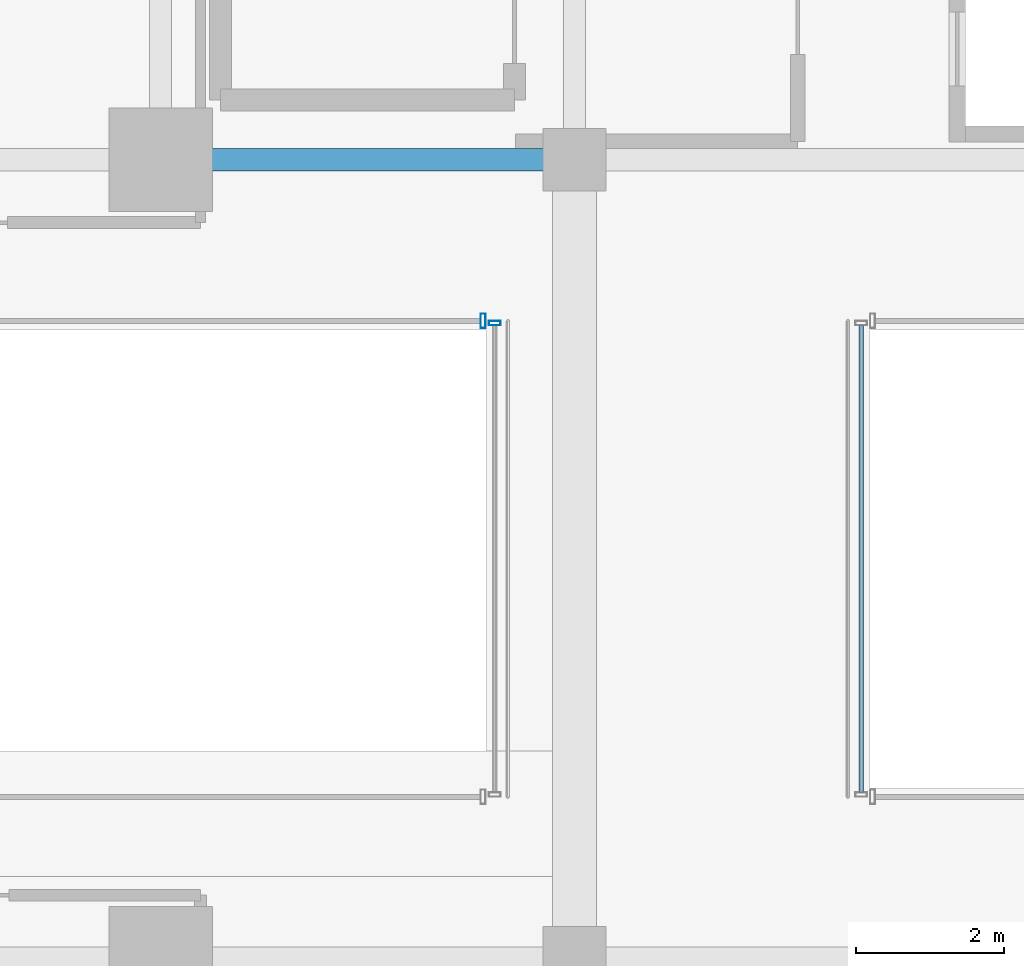
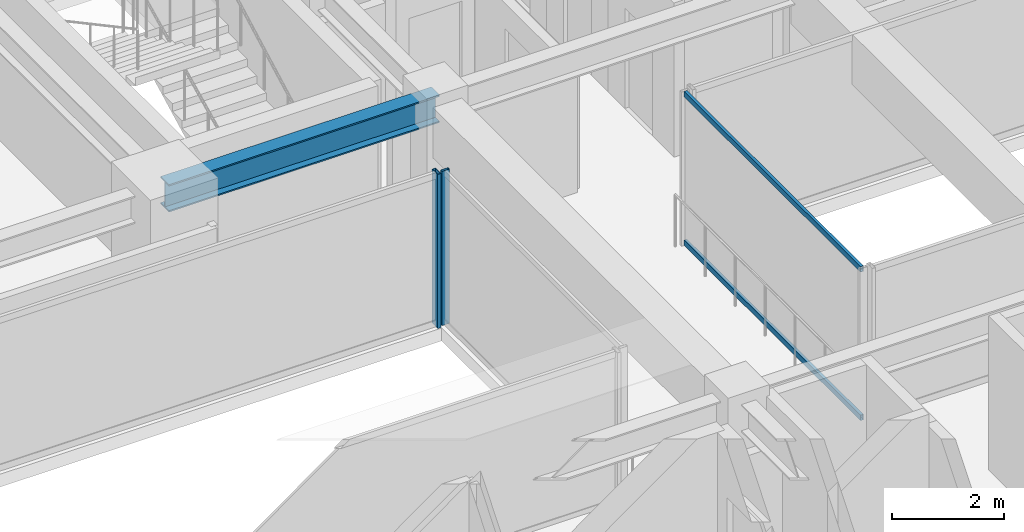
# One storey, part 17 of 43: 4 members, 1 beam, 3 elements without a shape of their own.
"""IFC4 building model written with IfcOpenShell, lengths in metres."""

import ifcopenshell
import ifcopenshell.guid

model = None  # the IFC model being written
_history = None  # IfcOwnerHistory: only IFC2X3 demands one
_inside = {}  # id of a spatial element -> (the spatial element, [elements in it])
_under = {}  # id of a project, library or spatial element -> (it, [spatial elements below it])
_declared = {}  # id of a project -> (the project, [libraries it declares])
_typed = {}  # id of a type object -> (the type object, [elements of that type])
_made_of = {}  # id of a material, layer set ... -> (it, [elements and type objects made of it])


def new_model(schema):
    """Start an empty IFC model of exactly this schema.

    Asked for "IFC4X3", IfcOpenShell would pick the latest addendum, in which some entities
    have other attributes; the version numbers below select the first issue.
    IFC2X3 requires an IfcOwnerHistory on every rooted entity: one is made here for all.
    """
    global model, _history
    if schema == "IFC4X3":
        model = ifcopenshell.file(schema_version=(4, 3, 0, 0))
    else:
        model = ifcopenshell.file(schema=schema)
    _inside.clear()
    _under.clear()
    _declared.clear()
    _typed.clear()
    _made_of.clear()
    _history = None
    if model.schema == "IFC2X3":
        org = make("IfcOrganization", Name="unknown")
        user = make(
            "IfcPersonAndOrganization",
            ThePerson=make("IfcPerson", FamilyName="unknown"),
            TheOrganization=org,
        )
        app = make(
            "IfcApplication",
            ApplicationDeveloper=org,
            Version="unknown",
            ApplicationFullName="unknown",
            ApplicationIdentifier="unknown",
        )
        _history = make(
            "IfcOwnerHistory",
            OwningUser=user,
            OwningApplication=app,
            ChangeAction="ADDED",
            CreationDate=0,
        )
    return model


def make(cls, **values):
    """One entity of the class cls with the attributes given. An attribute that is None is left unset."""
    return model.create_entity(
        cls, **{name: value for name, value in values.items() if value is not None}
    )


def rooted(cls, **values):
    """An entity with a GlobalId (a new one), such as an element, a storey or a relation."""
    return make(cls, GlobalId=ifcopenshell.guid.new(), OwnerHistory=_history, **values)


def si_unit(unit_type, name, prefix=None):
    """IfcSIUnit, for example si_unit("LENGTHUNIT", "METRE", prefix="MILLI")."""
    return make("IfcSIUnit", UnitType=unit_type, Prefix=prefix, Name=name)


def assignment(units):
    """IfcUnitAssignment: the units of a project."""
    return None if units is None else make("IfcUnitAssignment", Units=units)


def point(xyz):
    """IfcCartesianPoint."""
    return None if xyz is None else make("IfcCartesianPoint", Coordinates=xyz)


def direction(xyz):
    """IfcDirection."""
    return None if xyz is None else make("IfcDirection", DirectionRatios=xyz)


def frame(location, z_axis=None, x_axis=None):
    """IfcAxis2Placement3D, a coordinate frame: its origin and axes. An axis left out is left unset."""
    return make(
        "IfcAxis2Placement3D",
        Location=point(location),
        Axis=direction(z_axis),
        RefDirection=direction(x_axis),
    )


def frame_2d(location, x_axis=None):
    """IfcAxis2Placement2D, a coordinate frame in the plane: its origin and x axis."""
    return make(
        "IfcAxis2Placement2D", Location=point(location), RefDirection=direction(x_axis)
    )


def origin():
    """The frame at (0, 0, 0) with its axes left unset."""
    return frame((0.0, 0.0, 0.0))


def origin_2d():
    """The frame at (0, 0) in the plane with its x axis left unset."""
    return frame_2d((0.0, 0.0))


def place(relative_to, where):
    """IfcLocalPlacement: puts the frame where relative to a parent placement (None: the world)."""
    return make(
        "IfcLocalPlacement", PlacementRelTo=relative_to, RelativePlacement=where
    )


def context(
    kind, dimensions, precision=None, world=None, true_north=None, identifier=None
):
    """IfcGeometricRepresentationContext, for example the 3D "Model" context."""
    return make(
        "IfcGeometricRepresentationContext",
        ContextIdentifier=identifier,
        ContextType=kind,
        CoordinateSpaceDimension=dimensions,
        Precision=precision,
        WorldCoordinateSystem=world,
        TrueNorth=true_north,
    )


def subcontext(parent, identifier, kind, view, scale=None):
    """IfcGeometricRepresentationSubContext, for example "Body" below "Model"."""
    return make(
        "IfcGeometricRepresentationSubContext",
        ContextIdentifier=identifier,
        ContextType=kind,
        ParentContext=parent,
        TargetScale=scale,
        TargetView=view,
    )


def project(units=None, contexts=None):
    """IfcProject with its units and contexts."""
    return rooted(
        "IfcProject",
        Name="project",
        RepresentationContexts=contexts,
        UnitsInContext=assignment(units),
    )


def spatial(cls, under=None, at=None, **own):
    """A site, building, storey or space (cls), placed at a placement, below another one or the project."""
    s = rooted(cls, ObjectPlacement=at, **own)
    if under is not None:
        _under.setdefault(under.id(), (under, []))[1].append(s)
    return s


def profile(cls, at=None, kind="AREA", **sizes):
    """A parametric profile (cls). Its sizes go by their IFC names, for example OverallWidth=200.0."""
    return make(cls, ProfileType=kind, Position=at, **sizes)


def hollow_rectangle(**sizes):
    """IfcRectangleHollowProfileDef."""
    return profile("IfcRectangleHollowProfileDef", **sizes)


def i_section(**sizes):
    """IfcIShapeProfileDef."""
    return profile("IfcIShapeProfileDef", **sizes)


def extrude(swept, where, along, depth):
    """IfcExtrudedAreaSolid: the profile swept, set in the frame where, extruded along a direction by depth."""
    return make(
        "IfcExtrudedAreaSolid",
        SweptArea=swept,
        Position=where,
        ExtrudedDirection=direction(along),
        Depth=depth,
    )


def shape(context_of_items, identifier, shape_type, items):
    """IfcShapeRepresentation: the items that make up one representation, for example the "Body"."""
    return make(
        "IfcShapeRepresentation",
        ContextOfItems=context_of_items,
        RepresentationIdentifier=identifier,
        RepresentationType=shape_type,
        Items=items,
    )


def source(mapping_origin, context_of_items, identifier, shape_type, items):
    """IfcRepresentationMap: a shape defined once, which mapped items show again and again."""
    return make(
        "IfcRepresentationMap",
        MappingOrigin=mapping_origin,
        MappedRepresentation=shape(context_of_items, identifier, shape_type, items),
    )


def transform(
    local_origin,
    x_axis=None,
    y_axis=None,
    z_axis=None,
    scale=None,
    scale2=None,
    scale3=None,
    uniform=True,
):
    """IfcCartesianTransformationOperator3D, or its non-uniform kind. x_axis, y_axis, z_axis: its Axis1, 2, 3."""
    if uniform:
        return make(
            "IfcCartesianTransformationOperator3D",
            Axis1=direction(x_axis),
            Axis2=direction(y_axis),
            LocalOrigin=point(local_origin),
            Scale=scale,
            Axis3=direction(z_axis),
        )
    return make(
        "IfcCartesianTransformationOperator3DnonUniform",
        Axis1=direction(x_axis),
        Axis2=direction(y_axis),
        LocalOrigin=point(local_origin),
        Scale=scale,
        Axis3=direction(z_axis),
        Scale2=scale2,
        Scale3=scale3,
    )


def mapped(mapping_source, mapping_target):
    """IfcMappedItem: shows the shape of a source again, moved by a transform."""
    return make(
        "IfcMappedItem", MappingSource=mapping_source, MappingTarget=mapping_target
    )


def material(Name=None, Category=None):
    """IfcMaterial."""
    return make("IfcMaterial", Name=Name, Category=Category)


def material_profile(
    of_material, cross_section, Name=None, Category=None, Priority=None
):
    """IfcMaterialProfile: a cross section and its material."""
    return make(
        "IfcMaterialProfile",
        Name=Name,
        Material=of_material,
        Profile=cross_section,
        Priority=Priority,
        Category=Category,
    )


def profile_set(profiles, Name=None, composite=None):
    """IfcMaterialProfileSet."""
    return make(
        "IfcMaterialProfileSet",
        Name=Name,
        MaterialProfiles=profiles,
        CompositeProfile=composite,
    )


def made_of(thing, what):
    """Note that an element or type object is made of a material, layer set ...; save() writes the relation."""
    if what is not None:
        _made_of.setdefault(what.id(), (what, []))[1].append(thing)
    return thing


def type_object(cls, material=None, **own):
    """A type object (cls), such as IfcWallType, which elements share."""
    return made_of(rooted(cls, **own), material)


def element(
    cls,
    number,
    at=None,
    inside=None,
    cuts=None,
    type_object=None,
    material=None,
    context=None,
    identifier="Body",
    shape_type=None,
    held_by="IfcProductDefinitionShape",
    body=None,
    shapes=None,
    **own,
):
    """One element of the class cls, such as IfcWall. Its Tag is "e" and its number.

    at: its placement. inside: the storey or other place that contains it. cuts: it is an
    opening in that element (IfcRelVoidsElement). A single representation is given by context,
    identifier, shape_type and body (its items); several are given by shapes. held_by: the class
    of the entity that holds the representations. save() writes the other relations.
    """
    e = rooted(cls, Tag="e%d" % number, ObjectPlacement=at, **own)
    if body is not None:
        shapes = [shape(context, identifier, shape_type, body)]
    if shapes is not None:
        e.Representation = make(held_by, Representations=shapes)
    if inside is not None:
        _inside.setdefault(inside.id(), (inside, []))[1].append(e)
    if cuts is not None:
        rooted(
            "IfcRelVoidsElement", RelatingBuildingElement=cuts, RelatedOpeningElement=e
        )
    if type_object is not None:
        _typed.setdefault(type_object.id(), (type_object, []))[1].append(e)
    return made_of(e, material)


def aggregate(whole, parts):
    """IfcRelAggregates: a whole, such as a stair, and the parts it consists of."""
    return rooted("IfcRelAggregates", RelatingObject=whole, RelatedObjects=parts)


def save(model, path):
    """Write the relations noted so far, then the file.

    IfcRelAggregates (storeys below a building ...), IfcRelContainedInSpatialStructure (elements
    in a storey), IfcRelDefinesByType, IfcRelAssociatesMaterial and IfcRelDeclares: one each for
    every whole, place, type object, material and project.
    """
    for whole, parts in _under.values():
        aggregate(whole, parts)
    for where, things in _inside.values():
        rooted(
            "IfcRelContainedInSpatialStructure",
            RelatedElements=things,
            RelatingStructure=where,
        )
    for kind, things in _typed.values():
        rooted("IfcRelDefinesByType", RelatedObjects=things, RelatingType=kind)
    for what, things in _made_of.values():
        rooted("IfcRelAssociatesMaterial", RelatedObjects=things, RelatingMaterial=what)
    for by, libraries in _declared.values():
        rooted("IfcRelDeclares", RelatingContext=by, RelatedDefinitions=libraries)
    model.write(path)


model = new_model("IFC4")

# Units and contexts
model_context = context("Model", 3, precision=1e-05, world=origin(), true_north=direction((0.0, 1.0)))
body_context = subcontext(model_context, "Body", "Model", "MODEL_VIEW")
ifc_project = project(units=[si_unit("LENGTHUNIT", "METRE"), si_unit("AREAUNIT", "SQUARE_METRE"), si_unit("VOLUMEUNIT", "CUBIC_METRE"), si_unit("PLANEANGLEUNIT", "RADIAN"), si_unit("MASSUNIT", "GRAM", prefix="KILO")], contexts=[model_context])

# Site, building, storey
site_placement = place(None, origin())
site = spatial("IfcSite", under=ifc_project, at=site_placement, CompositionType="ELEMENT")
building_placement = place(site_placement, origin())
building = spatial("IfcBuilding", under=site, at=building_placement, Name="Nahalor Promenade Grand Hotel", CompositionType="ELEMENT")
storey_placement = place(building_placement, frame((0.0, 0.0, 47.0)))
storey = spatial("IfcBuildingStorey", under=building, at=storey_placement, Name="L10", CompositionType="ELEMENT", Elevation=47.0)

# Beam
ifc_material_1 = material(Name="Steel S355JR", Category="steel")
ifc_material_profile_1 = material_profile(ifc_material_1, i_section(OverallWidth=0.3, OverallDepth=0.6, WebThickness=0.0155, FlangeThickness=0.03, at=origin_2d()), Name="HEB 600")
ifc_profile_set_1 = profile_set([ifc_material_profile_1], Name="Steel S355JR")
beam_type = type_object("IfcBeamType", Name="Beam-Girder-HEB600", PredefinedType="BEAM", material=ifc_profile_set_1)
shared_shape_1 = source(origin(), body_context, "Body", "SweptSolid", [
    extrude(i_section(OverallWidth=0.3, OverallDepth=0.6, WebThickness=0.0155, FlangeThickness=0.03, at=origin_2d()), origin(), (0.0, 0.0, 1.0), 5.599853515625),
])
beam_placement = place(storey_placement, frame((2.800048828125, 5.39990234375, 3.070068359375), z_axis=(1.0, 0.0, 0.0), x_axis=(0.0, 1.0, 0.0)))
element("IfcBeam", 1, at=beam_placement, inside=storey, type_object=beam_type, Name="BM-L10-GX-2-4", PredefinedType="BEAM", context=body_context, shape_type="MappedRepresentation", body=[
    mapped(shared_shape_1, transform((0.0, 0.0, 0.0), scale=1.0)),
])

# Curtain wall, member
ifc_material_2 = material(Name="Anodised Bronze Aluminium EN AW-6063 T6", Category="aluminium")
curtain_wall_type_1 = type_object("IfcCurtainWallType", Name="CW3 Elliptical-Void Collar Unitised Curtain Wall", PredefinedType="USERDEFINED", material=ifc_material_2)
curtain_wall_1_placement = place(storey_placement, origin())
curtain_wall_1 = element("IfcCurtainWall", 2, at=curtain_wall_1_placement, inside=storey, type_object=curtain_wall_type_1, Name="L10 Curtain Wall CW-L10-VOID-WN1", ObjectType="UNITISED_CURTAIN_WALL", PredefinedType="USERDEFINED")
ifc_material_profile_2 = material_profile(ifc_material_2, hollow_rectangle(XDim=0.07, YDim=0.2, WallThickness=0.005, at=origin_2d()), Name="CWM 70x200x5")
ifc_profile_set_2 = profile_set([ifc_material_profile_2], Name="Anodised Bronze Aluminium EN AW-6063 T6")
member_type_1 = type_object("IfcMemberType", Name="CWM3 Void Collar Mullion 70x200", PredefinedType="MULLION", material=ifc_profile_set_2)
shared_shape_2 = source(origin(), body_context, "Body", "SweptSolid", [
    extrude(hollow_rectangle(XDim=0.07, YDim=0.2, WallThickness=0.005, at=origin_2d()), origin(), (0.0, 0.0, 1.0), 3.3701171875),
])
member_1_placement = place(storey_placement, frame((7.1650390625, 3.219970703125, 0.0), z_axis=(0.0, 0.0, 1.0), x_axis=(1.0, 0.0, 0.0)))
member_1 = element("IfcMember", 3, at=member_1_placement, type_object=member_type_1, Name="CW-L10-VOID-WN1 Mullion 3", PredefinedType="MULLION", context=body_context, shape_type="MappedRepresentation", body=[
    mapped(shared_shape_2, transform((0.0, 0.0, 0.0), scale=1.0)),
])
aggregate(curtain_wall_1, [member_1])

curtain_wall_type_2 = type_object("IfcCurtainWallType", Name="CW4 Low-Iron Sky-Gallery Bridge Curtain Wall", PredefinedType="USERDEFINED", material=ifc_material_2)
curtain_wall_2_placement = place(storey_placement, origin())
curtain_wall_2 = element("IfcCurtainWall", 4, at=curtain_wall_2_placement, inside=storey, type_object=curtain_wall_type_2, Name="L10 Curtain Wall CW-L10-BRG-W", ObjectType="UNITISED_CURTAIN_WALL", PredefinedType="USERDEFINED")
ifc_material_profile_3 = material_profile(ifc_material_2, hollow_rectangle(XDim=0.06, YDim=0.16, WallThickness=0.004, at=origin_2d()), Name="CWM 60x160x4")
ifc_profile_set_3 = profile_set([ifc_material_profile_3], Name="Anodised Bronze Aluminium EN AW-6063 T6")
member_type_2 = type_object("IfcMemberType", Name="CWM4 Sky-Gallery Slim Mullion 60x160", PredefinedType="MULLION", material=ifc_profile_set_3)
shared_shape_3 = source(origin(), body_context, "Body", "SweptSolid", [
    extrude(hollow_rectangle(XDim=0.06, YDim=0.16, WallThickness=0.004, at=origin_2d()), origin(), (0.0, 0.0, 1.0), 3.3701171875),
])
member_2_placement = place(storey_placement, frame((7.320068359375, 3.18994140625, 0.0), z_axis=(0.0, 0.0, 1.0), x_axis=(0.0, 1.0, 0.0)))
member_2 = element("IfcMember", 5, at=member_2_placement, type_object=member_type_2, Name="CW-L10-BRG-W Mullion 1", PredefinedType="MULLION", context=body_context, shape_type="MappedRepresentation", body=[
    mapped(shared_shape_3, transform((0.0, 0.0, 0.0), scale=1.0)),
])
aggregate(curtain_wall_2, [member_2])

# Curtain wall, members
curtain_wall_3_placement = place(storey_placement, origin())
curtain_wall_3 = element("IfcCurtainWall", 6, at=curtain_wall_3_placement, inside=storey, type_object=curtain_wall_type_2, Name="L10 Curtain Wall CW-L10-BRG-E", ObjectType="UNITISED_CURTAIN_WALL", PredefinedType="USERDEFINED")
ifc_material_profile_4 = material_profile(ifc_material_2, hollow_rectangle(XDim=0.06, YDim=0.12, WallThickness=0.004, at=origin_2d()), Name="CWT 60x120x4")
ifc_profile_set_4 = profile_set([ifc_material_profile_4], Name="Anodised Bronze Aluminium EN AW-6063 T6")
member_type_3 = type_object("IfcMemberType", Name="CWT4 Sky-Gallery Slim Transom 60x120", PredefinedType="USERDEFINED", material=ifc_profile_set_4)
shared_shape_4 = source(origin(), body_context, "Body", "SweptSolid", [
    extrude(hollow_rectangle(XDim=0.06, YDim=0.12, WallThickness=0.004, at=origin_2d()), origin(), (0.0, 0.0, 1.0), 6.31982421875),
])
member_3_placement = place(storey_placement, frame((12.280029296875, -3.159912109375, 0.06005859375), z_axis=(0.0, 1.0, 0.0), x_axis=(-1.0, 0.0, 0.0)))
member_3 = element("IfcMember", 7, at=member_3_placement, type_object=member_type_3, Name="CW-L10-BRG-E Transom 0-0", ObjectType="TRANSOM", PredefinedType="USERDEFINED", context=body_context, shape_type="MappedRepresentation", body=[
    mapped(shared_shape_4, transform((0.0, 0.0, 0.0), scale=1.0)),
])
member_4_placement = place(storey_placement, frame((12.280029296875, -3.159912109375, 3.31005859375), z_axis=(0.0, 1.0, 0.0), x_axis=(-1.0, 0.0, 0.0)))
member_4 = element("IfcMember", 8, at=member_4_placement, type_object=member_type_3, Name="CW-L10-BRG-E Transom 0-1", ObjectType="TRANSOM", PredefinedType="USERDEFINED", context=body_context, shape_type="MappedRepresentation", body=[
    mapped(shared_shape_4, transform((0.0, 0.0, 0.0), scale=1.0)),
])
aggregate(curtain_wall_3, [member_3, member_4])

save(model, "model.ifc")
